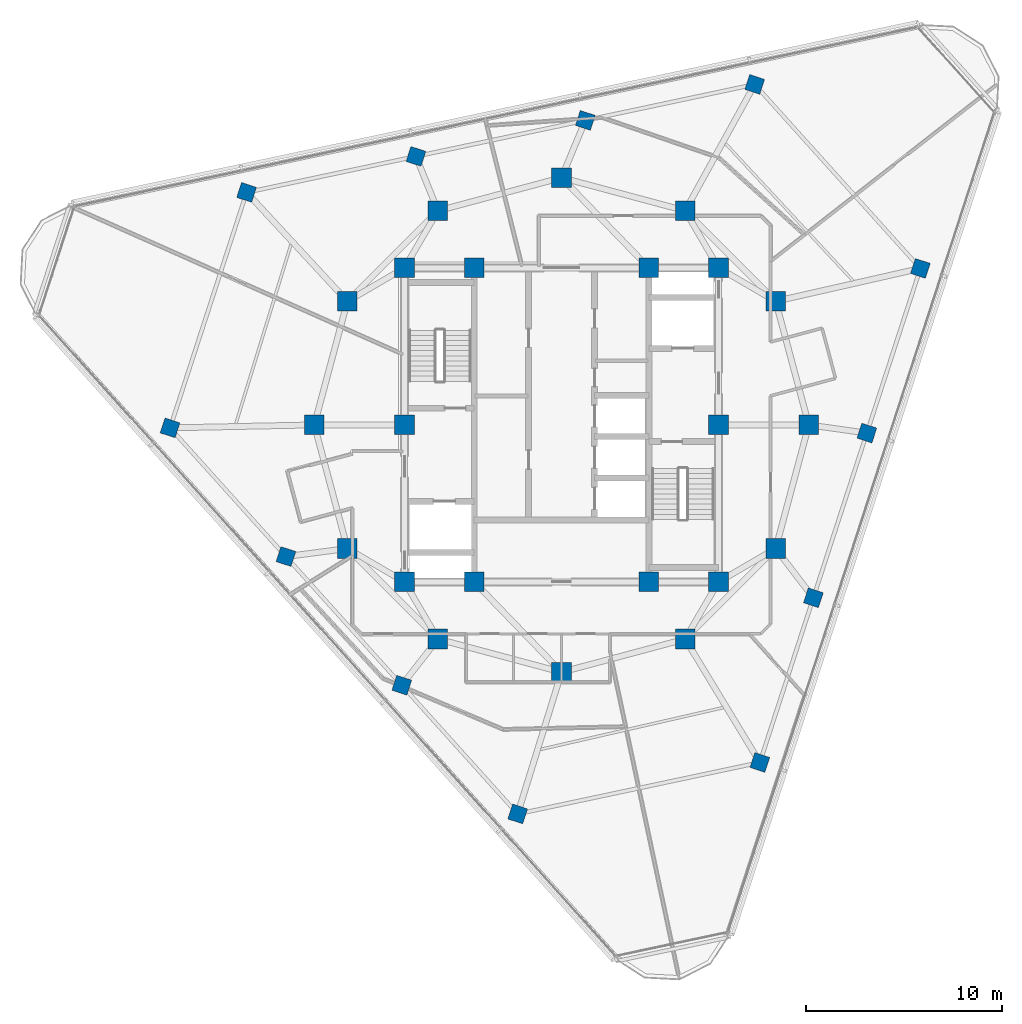
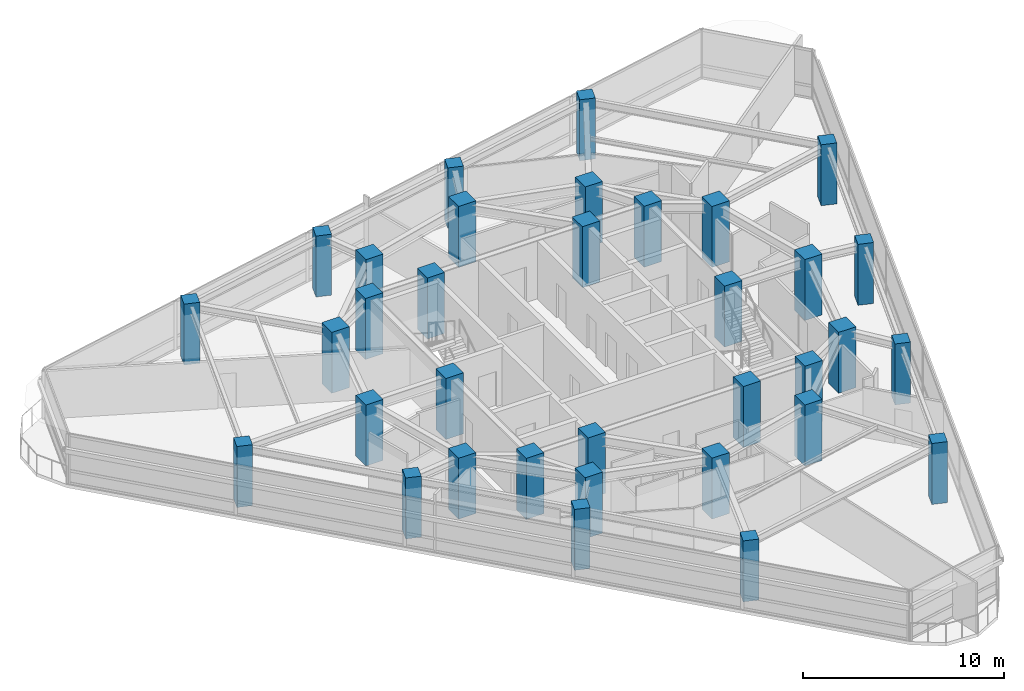
# One storey, part 1 of 15: 34 columns.
"""IFC4 building model written with IfcOpenShell, lengths in metres."""

from ifc_helpers import new_model, si_unit, direction, frame, origin, origin_2d, place, context, subcontext, project, spatial, rectangle, extrude, material, material_profile, profile_set, type_object, element, save


model = new_model("IFC4")

# Units and contexts
model_context = context("Model", 3, precision=1e-05, world=origin(), true_north=direction((0.0, 1.0)))
body_context = subcontext(model_context, "Body", "Model", "MODEL_VIEW")
ifc_project = project(units=[si_unit("LENGTHUNIT", "METRE"), si_unit("AREAUNIT", "SQUARE_METRE"), si_unit("VOLUMEUNIT", "CUBIC_METRE"), si_unit("PLANEANGLEUNIT", "RADIAN"), si_unit("MASSUNIT", "GRAM", prefix="KILO")], contexts=[model_context])

# Site, building, storey
site_placement = place(None, origin())
site = spatial("IfcSite", under=ifc_project, at=site_placement, CompositionType="ELEMENT")
building_placement = place(site_placement, origin())
building = spatial("IfcBuilding", under=site, at=building_placement, Name="Terralouvre Media Tower", CompositionType="ELEMENT")
storey_placement = place(building_placement, frame((0.0, 0.0, 283.199951171875)))
storey = spatial("IfcBuildingStorey", under=building, at=storey_placement, Name="L73", CompositionType="ELEMENT", Elevation=283.199951171875)

# Columns
ifc_material_1 = material(Name="Concrete C50/60", Category="concrete")
ifc_material_profile_1 = material_profile(ifc_material_1, rectangle(XDim=1.0, YDim=1.0, at=origin_2d()), Name="RC 1000x1000")
ifc_profile_set_1 = profile_set([ifc_material_profile_1], Name="Concrete C50/60")
column_type_1 = type_object("IfcColumnType", Name="Structural Column C-RC1000 (RC 1000x1000)", PredefinedType="COLUMN", material=ifc_profile_set_1)
for number, where, z_axis, x_axis, name in (
    (1, (-8.0, -8.0, 0.0), (0.0, 0.0, 1.0), (1.0, 0.0, 0.0), "L73 Core Pilaster Column CP1"),
    (2, (-4.449951171875, -8.0, 0.0), (0.0, 0.0, 1.0), (1.0, 0.0, 0.0), "L73 Core Pilaster Column CP2"),
    (3, (4.449951171875, -8.0, 0.0), (0.0, 0.0, 1.0), (1.0, 0.0, 0.0), "L73 Core Pilaster Column CP10"),
    (4, (8.0, -8.0, 0.0), (0.0, 0.0, 1.0), (1.0, 0.0, 0.0), "L73 Core Pilaster Column CP3"),
    (5, (8.0, 0.0, 0.0), (0.0, 0.0, 1.0), (1.0, 0.0, 0.0), "L73 Core Pilaster Column CP4"),
    (6, (8.0, 8.0, 0.0), (0.0, 0.0, 1.0), (1.0, 0.0, 0.0), "L73 Core Pilaster Column CP5"),
    (7, (4.449951171875, 8.0, 0.0), (0.0, 0.0, 1.0), (1.0, 0.0, 0.0), "L73 Core Pilaster Column CP9"),
    (8, (-4.449951171875, 8.0, 0.0), (0.0, 0.0, 1.0), (1.0, 0.0, 0.0), "L73 Core Pilaster Column CP6"),
    (9, (-8.0, 8.0, 0.0), (0.0, 0.0, 1.0), (1.0, 0.0, 0.0), "L73 Core Pilaster Column CP7"),
    (10, (-8.0, 0.0, 0.0), (0.0, 0.0, 1.0), (1.0, 0.0, 0.0), "L73 Core Pilaster Column CP8"),
    (11, (12.60009765625, 0.0, 0.0), (0.0, 0.0, 1.0), (1.0, 0.0, 0.0), "L73 Mega-Frame Column MC01"),
    (12, (10.911865234375, 6.300048828125, 0.0), (0.0, 0.0, 1.0), (1.0, 0.0, 0.0), "L73 Mega-Frame Column MC02"),
    (13, (6.300048828125, 10.911865234375, 0.0), (0.0, 0.0, 1.0), (1.0, 0.0, 0.0), "L73 Mega-Frame Column MC03"),
    (14, (0.0, 12.60009765625, 0.0), (0.0, 0.0, 1.0), (1.0, 0.0, 0.0), "L73 Mega-Frame Column MC04"),
    (15, (-6.300048828125, 10.911865234375, 0.0), (0.0, 0.0, 1.0), (1.0, 0.0, 0.0), "L73 Mega-Frame Column MC05"),
    (16, (-10.911865234375, 6.300048828125, 0.0), (0.0, 0.0, 1.0), (1.0, 0.0, 0.0), "L73 Mega-Frame Column MC06"),
    (17, (-12.60009765625, 0.0, 0.0), (0.0, 0.0, 1.0), (1.0, 0.0, 0.0), "L73 Mega-Frame Column MC07"),
    (18, (-10.911865234375, -6.300048828125, 0.0), (0.0, 0.0, 1.0), (1.0, 0.0, 0.0), "L73 Mega-Frame Column MC08"),
    (19, (-6.300048828125, -10.911865234375, 0.0), (0.0, 0.0, 1.0), (1.0, 0.0, 0.0), "L73 Mega-Frame Column MC09"),
    (20, (0.0, -12.60009765625, 0.0), (0.0, 0.0, 1.0), (1.0, 0.0, 0.0), "L73 Mega-Frame Column MC10"),
    (21, (6.300048828125, -10.911865234375, 0.0), (0.0, 0.0, 1.0), (1.0, 0.0, 0.0), "L73 Mega-Frame Column MC11"),
    (22, (10.911865234375, -6.300048828125, 0.0), (0.0, 0.0, 1.0), (1.0, 0.0, 0.0), "L73 Mega-Frame Column MC12"),
):
    element("IfcColumn", number, at=place(storey_placement, frame(where, z_axis=z_axis, x_axis=x_axis)), inside=storey, type_object=column_type_1, Name=name, PredefinedType="COLUMN", context=body_context, shape_type="SweptSolid", body=[
        extrude(rectangle(XDim=1.0, YDim=1.0, at=origin_2d()), origin(), (0.0, 0.0, 1.0), 3.699951171875),
    ])
ifc_material_2 = material(Name="Concrete C50/60", Category="concrete")
ifc_material_profile_2 = material_profile(ifc_material_2, rectangle(XDim=0.800048828125, YDim=0.800048828125, at=origin_2d()), Name="RC 800x800")
ifc_profile_set_2 = profile_set([ifc_material_profile_2], Name="Concrete C50/60")
column_type_2 = type_object("IfcColumnType", Name="Structural Column C-RC800 (RC 800x800)", PredefinedType="COLUMN", material=ifc_profile_set_2)
for number, where, z_axis, x_axis, name in (
    (23, (10.105712890625, -17.20068359375, 0.0), (0.0, 0.0, 1.0), (0.309016994375, 0.951056516295, 0.0), "L73 Perimeter Mega-Column PC11"),
    (24, (12.83251953125, -8.80859375, 0.0), (0.0, 0.0, 1.0), (0.309016994375, 0.951056516295, 0.0), "L73 Perimeter Mega-Column PC12"),
    (25, (15.55908203125, -0.41650390625, 0.0), (0.0, 0.0, 1.0), (0.309016994375, 0.951056516295, 0.0), "L73 Perimeter Mega-Column PC13"),
    (26, (18.285888671875, 7.9755859375, 0.0), (0.0, 0.0, 1.0), (0.309016994375, 0.951056516295, 0.0), "L73 Perimeter Mega-Column PC14"),
    (27, (9.843505859375, 17.35205078125, 0.0), (0.0, 0.0, 1.0), (0.309016994375, 0.951056516295, 0.0), "L73 Perimeter Mega-Column PC21"),
    (28, (1.212158203125, 15.517578125, 0.0), (0.0, 0.0, 1.0), (0.309016994375, 0.951056516295, 0.0), "L73 Perimeter Mega-Column PC22"),
    (29, (-7.4189453125, 13.682861328125, 0.0), (0.0, 0.0, 1.0), (0.309016994375, 0.951056516295, 0.0), "L73 Perimeter Mega-Column PC23"),
    (30, (-16.050048828125, 11.84814453125, 0.0), (0.0, 0.0, 1.0), (0.309016994375, 0.951056516295, 0.0), "L73 Perimeter Mega-Column PC24"),
    (31, (-19.948974609375, -0.1513671875, 0.0), (0.0, 0.0, 1.0), (0.309016994375, 0.951056516295, 0.0), "L73 Perimeter Mega-Column PC31"),
    (32, (-14.044677734375, -6.708984375, 0.0), (0.0, 0.0, 1.0), (0.309016994375, 0.951056516295, 0.0), "L73 Perimeter Mega-Column PC32"),
    (33, (-8.14013671875, -13.266357421875, 0.0), (0.0, 0.0, 1.0), (0.309016994375, 0.951056516295, 0.0), "L73 Perimeter Mega-Column PC33"),
    (34, (-2.23583984375, -19.823974609375, 0.0), (0.0, 0.0, 1.0), (0.309016994375, 0.951056516295, 0.0), "L73 Perimeter Mega-Column PC34"),
):
    element("IfcColumn", number, at=place(storey_placement, frame(where, z_axis=z_axis, x_axis=x_axis)), inside=storey, type_object=column_type_2, Name=name, PredefinedType="COLUMN", context=body_context, shape_type="SweptSolid", body=[
        extrude(rectangle(XDim=0.800048828125, YDim=0.800048828125, at=origin_2d()), origin(), (0.0, 0.0, 1.0), 3.699951171875),
    ])

save(model, "model.ifc")
